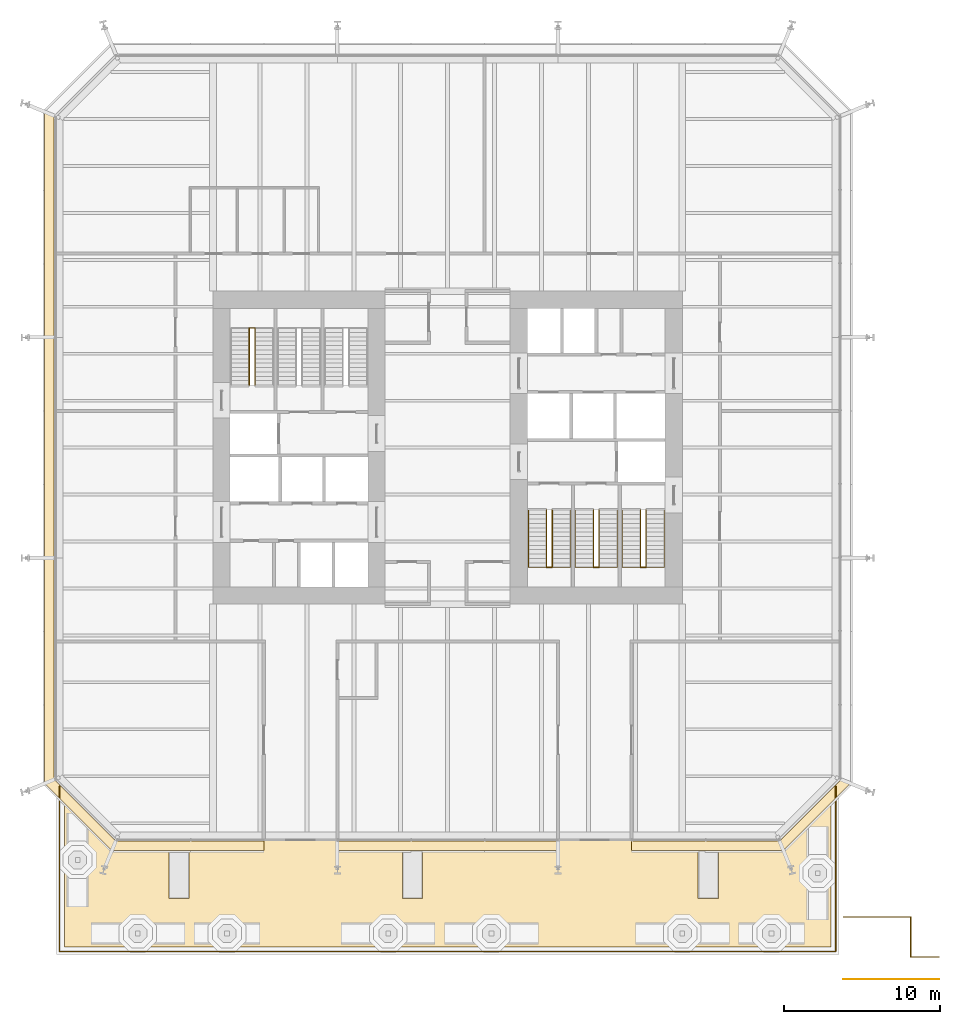
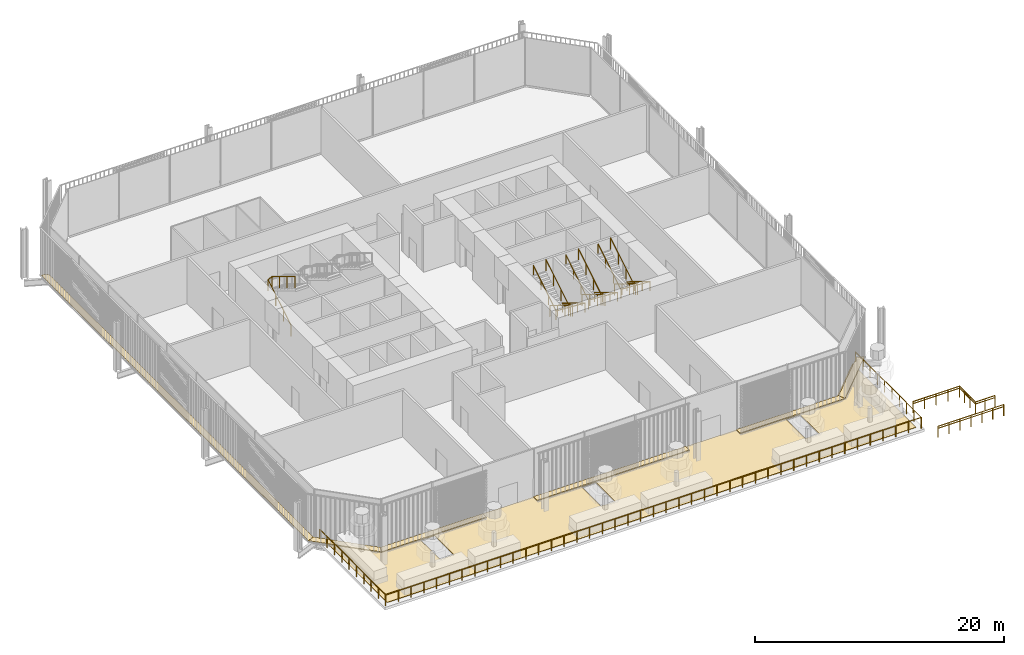
# One storey, part 19 of 21: 12 railings, 7 coverings.
"""IFC4 building model written with IfcOpenShell, lengths in metres."""

from ifc_helpers import new_model, si_unit, direction, frame, origin, origin_2d, place, context, subcontext, project, spatial, polyline, circle, outline, extrude, material, layer, layer_set, type_object, element, save


model = new_model("IFC4")

# Units and contexts
model_context = context("Model", 3, precision=1e-05, world=origin(), true_north=direction((0.0, 1.0)))
body_context = subcontext(model_context, "Body", "Model", "MODEL_VIEW")
ifc_project = project(units=[si_unit("LENGTHUNIT", "METRE"), si_unit("AREAUNIT", "SQUARE_METRE"), si_unit("VOLUMEUNIT", "CUBIC_METRE"), si_unit("PLANEANGLEUNIT", "RADIAN"), si_unit("MASSUNIT", "GRAM", prefix="KILO")], contexts=[model_context])

# Site, building, storey
site_placement = place(None, origin())
site = spatial("IfcSite", under=ifc_project, at=site_placement, CompositionType="ELEMENT")
building_placement = place(site_placement, origin())
building = spatial("IfcBuilding", under=site, at=building_placement, Name="Millrace Tower", CompositionType="ELEMENT")
storey_placement = place(building_placement, frame((0.0, 0.0, 16.10009765625)))
storey = spatial("IfcBuildingStorey", under=building, at=storey_placement, Name="L04", CompositionType="ELEMENT", Elevation=16.10009765625)

# Coverings
ifc_material_1 = material(Name="Steel ASTM A36", Category="steel")
ifc_layer_1 = layer(ifc_material_1, 0.050048828125)
ifc_layer_set_1 = layer_set([ifc_layer_1], Name="Steel ASTM A36")
covering_type_1 = type_object("IfcCoveringType", Name="CAVITY CATWALK steel grating", PredefinedType="FLOORING", material=ifc_layer_set_1)
placement_1 = place(storey_placement, frame((0.0, 0.0, 0.099853515625)))
element("IfcCovering", 1, at=placement_1, inside=storey, type_object=covering_type_1, Name="Cavity catwalk grating A-F01 L04 1", PredefinedType="FLOORING", context=body_context, shape_type="SweptSolid", body=[
    extrude(outline(polyline([(-25.75, -21.460693359375), (-21.460693359375, -25.75), (-21.212158203125, -25.14990234375), (-25.14990234375, -21.212158203125), (-25.75, -21.460693359375)])), origin(), (0.0, 0.0, 1.0), 0.050048828125),
])
element("IfcCovering", 2, at=placement_1, inside=storey, type_object=covering_type_1, Name="Cavity catwalk grating A-F02 L04 1", PredefinedType="FLOORING", context=body_context, shape_type="SweptSolid", body=[
    extrude(outline(polyline([(-21.460693359375, -25.75), (-11.75, -25.75), (-11.75, -25.14990234375), (-21.212158203125, -25.14990234375), (-21.460693359375, -25.75)])), origin(), (0.0, 0.0, 1.0), 0.050048828125),
])
element("IfcCovering", 3, at=placement_1, inside=storey, type_object=covering_type_1, Name="Cavity catwalk grating A-F02 L04 2", PredefinedType="FLOORING", context=body_context, shape_type="SweptSolid", body=[
    extrude(outline(polyline([(-7.050048828125, -25.75), (7.050048828125, -25.75), (7.050048828125, -25.14990234375), (-7.050048828125, -25.14990234375), (-7.050048828125, -25.75)])), origin(), (0.0, 0.0, 1.0), 0.050048828125),
])
element("IfcCovering", 4, at=placement_1, inside=storey, type_object=covering_type_1, Name="Cavity catwalk grating A-F02 L04 3", PredefinedType="FLOORING", context=body_context, shape_type="SweptSolid", body=[
    extrude(outline(polyline([(11.75, -25.75), (21.460693359375, -25.75), (21.212158203125, -25.14990234375), (11.75, -25.14990234375), (11.75, -25.75)])), origin(), (0.0, 0.0, 1.0), 0.050048828125),
])
element("IfcCovering", 5, at=placement_1, inside=storey, type_object=covering_type_1, Name="Cavity catwalk grating A-F03 L04 1", PredefinedType="FLOORING", context=body_context, shape_type="SweptSolid", body=[
    extrude(outline(polyline([(21.460693359375, -25.75), (25.75, -21.460693359375), (25.14990234375, -21.212158203125), (21.212158203125, -25.14990234375), (21.460693359375, -25.75)])), origin(), (0.0, 0.0, 1.0), 0.050048828125),
])
element("IfcCovering", 6, at=placement_1, inside=storey, type_object=covering_type_1, Name="Cavity catwalk grating A-F08 L04 1", PredefinedType="FLOORING", context=body_context, shape_type="SweptSolid", body=[
    extrude(outline(polyline([(-25.75, 21.460693359375), (-25.75, -21.460693359375), (-25.14990234375, -21.212158203125), (-25.14990234375, 21.212158203125), (-25.75, 21.460693359375)])), origin(), (0.0, 0.0, 1.0), 0.050048828125),
])

# Railings
ifc_material_2 = material(Name="Stainless steel ASTM A240 type 316", Category="steel")
railing_type_1 = type_object("IfcRailingType", Name="Public stair guard 1100", PredefinedType="GUARDRAIL", material=ifc_material_2)
placement_2 = place(storey_placement, frame((25.300048828125, -34.0, 0.0)))
element("IfcRailing", 7, at=placement_2, inside=storey, type_object=railing_type_1, Name="Public stair guard GD-STAIR-LCS", PredefinedType="GUARDRAIL", context=body_context, shape_type="SweptSolid", body=[
    extrude(circle(Radius=0.02392578125, at=origin_2d()), frame((0.0, 0.0, 1.076171875), z_axis=(1.0, 0.0, 0.0), x_axis=(0.0, 1.0, 0.0)), (0.0, 0.0, 1.0), 6.099853515625),
    extrude(circle(Radius=0.02099609375, at=origin_2d()), origin(), (0.0, 0.0, 1.0), 1.052001953125),
    extrude(circle(Radius=0.02099609375, at=origin_2d()), frame((1.0166015625, 0.0, 0.0)), (0.0, 0.0, 1.0), 1.052001953125),
    extrude(circle(Radius=0.02099609375, at=origin_2d()), frame((2.033203125, 0.0, 0.0)), (0.0, 0.0, 1.0), 1.052001953125),
    extrude(circle(Radius=0.02099609375, at=origin_2d()), frame((3.0498046875, 0.0, 0.0)), (0.0, 0.0, 1.0), 1.052001953125),
    extrude(circle(Radius=0.02099609375, at=origin_2d()), frame((4.066650390625, 0.0, 0.0)), (0.0, 0.0, 1.0), 1.052001953125),
    extrude(circle(Radius=0.02099609375, at=origin_2d()), frame((5.083251953125, 0.0, 0.0)), (0.0, 0.0, 1.0), 1.052001953125),
    extrude(circle(Radius=0.02099609375, at=origin_2d()), frame((6.099853515625, 0.0, 0.0)), (0.0, 0.0, 1.0), 1.052001953125),
])
placement_3 = place(storey_placement, frame((31.39990234375, -32.56005859375, 0.0)))
element("IfcRailing", 8, at=placement_3, inside=storey, type_object=railing_type_1, Name="Public stair guard GD-STAIR-LCN", PredefinedType="GUARDRAIL", context=body_context, shape_type="SweptSolid", body=[
    extrude(circle(Radius=0.02392578125, at=origin_2d()), frame((0.0, 0.0, 1.076171875), z_axis=(-1.0, 0.0, 0.0), x_axis=(0.0, -1.0, 0.0)), (0.0, 0.0, 1.0), 1.7998046875),
    extrude(circle(Radius=0.02392578125, at=origin_2d()), frame((-1.7998046875, 0.0, 1.076171875), z_axis=(0.0, 1.0, 0.0), x_axis=(-1.0, 0.0, 0.0)), (0.0, 0.0, 1.0), 2.56005859375),
    extrude(circle(Radius=0.02392578125, at=origin_2d()), frame((-1.7998046875, 2.56005859375, 1.076171875), z_axis=(-1.0, 0.0, 0.0), x_axis=(0.0, -1.0, 0.0)), (0.0, 0.0, 1.0), 4.300048828125),
    extrude(circle(Radius=0.02099609375, at=origin_2d()), origin(), (0.0, 0.0, 1.0), 1.052001953125),
    extrude(circle(Radius=0.02099609375, at=origin_2d()), frame((-0.89990234375, 0.0, 0.0)), (0.0, 0.0, 1.0), 1.052001953125),
    extrude(circle(Radius=0.02099609375, at=origin_2d()), frame((-1.7998046875, 0.0, 0.0)), (0.0, 0.0, 1.0), 1.052001953125),
    extrude(circle(Radius=0.02099609375, at=origin_2d()), frame((-1.7998046875, 0.853271484375, 0.0)), (0.0, 0.0, 1.0), 1.052001953125),
    extrude(circle(Radius=0.02099609375, at=origin_2d()), frame((-1.7998046875, 1.706787109375, 0.0)), (0.0, 0.0, 1.0), 1.052001953125),
    extrude(circle(Radius=0.02099609375, at=origin_2d()), frame((-1.7998046875, 2.56005859375, 0.0)), (0.0, 0.0, 1.0), 1.052001953125),
    extrude(circle(Radius=0.02099609375, at=origin_2d()), frame((-2.874755859375, 2.56005859375, 0.0)), (0.0, 0.0, 1.0), 1.052001953125),
    extrude(circle(Radius=0.02099609375, at=origin_2d()), frame((-3.94970703125, 2.56005859375, 0.0)), (0.0, 0.0, 1.0), 1.052001953125),
    extrude(circle(Radius=0.02099609375, at=origin_2d()), frame((-5.02490234375, 2.56005859375, 0.0)), (0.0, 0.0, 1.0), 1.052001953125),
    extrude(circle(Radius=0.02099609375, at=origin_2d()), frame((-6.099853515625, 2.56005859375, 0.0)), (0.0, 0.0, 1.0), 1.052001953125),
])
ifc_material_3 = material(Name="Stainless steel ASTM A240 type 316", Category="steel")
railing_type_2 = type_object("IfcRailingType", Name="Public stair handrail 900", PredefinedType="HANDRAIL", material=ifc_material_3)
element("IfcRailing", 9, at=placement_2, inside=storey, type_object=railing_type_2, Name="Public stair handrail HR-STAIR-LCS", PredefinedType="HANDRAIL", context=body_context, shape_type="SweptSolid", body=[
    extrude(circle(Radius=0.02392578125, at=origin_2d()), frame((0.0, 0.0, 0.8759765625), z_axis=(1.0, 0.0, 0.0), x_axis=(0.0, 1.0, 0.0)), (0.0, 0.0, 1.0), 6.099853515625),
    extrude(circle(Radius=0.02099609375, at=origin_2d()), origin(), (0.0, 0.0, 1.0), 0.851806640625),
    extrude(circle(Radius=0.02099609375, at=origin_2d()), frame((1.0166015625, 0.0, 0.0)), (0.0, 0.0, 1.0), 0.851806640625),
    extrude(circle(Radius=0.02099609375, at=origin_2d()), frame((2.033203125, 0.0, 0.0)), (0.0, 0.0, 1.0), 0.851806640625),
    extrude(circle(Radius=0.02099609375, at=origin_2d()), frame((3.0498046875, 0.0, 0.0)), (0.0, 0.0, 1.0), 0.851806640625),
    extrude(circle(Radius=0.02099609375, at=origin_2d()), frame((4.066650390625, 0.0, 0.0)), (0.0, 0.0, 1.0), 0.851806640625),
    extrude(circle(Radius=0.02099609375, at=origin_2d()), frame((5.083251953125, 0.0, 0.0)), (0.0, 0.0, 1.0), 0.851806640625),
    extrude(circle(Radius=0.02099609375, at=origin_2d()), frame((6.099853515625, 0.0, 0.0)), (0.0, 0.0, 1.0), 0.851806640625),
])
element("IfcRailing", 10, at=placement_3, inside=storey, type_object=railing_type_2, Name="Public stair handrail HR-STAIR-LCN", PredefinedType="HANDRAIL", context=body_context, shape_type="SweptSolid", body=[
    extrude(circle(Radius=0.02392578125, at=origin_2d()), frame((0.0, 0.0, 0.8759765625), z_axis=(-1.0, 0.0, 0.0), x_axis=(0.0, -1.0, 0.0)), (0.0, 0.0, 1.0), 1.7998046875),
    extrude(circle(Radius=0.02392578125, at=origin_2d()), frame((-1.7998046875, 0.0, 0.8759765625), z_axis=(0.0, 1.0, 0.0), x_axis=(-1.0, 0.0, 0.0)), (0.0, 0.0, 1.0), 2.56005859375),
    extrude(circle(Radius=0.02392578125, at=origin_2d()), frame((-1.7998046875, 2.56005859375, 0.8759765625), z_axis=(-1.0, 0.0, 0.0), x_axis=(0.0, -1.0, 0.0)), (0.0, 0.0, 1.0), 4.300048828125),
    extrude(circle(Radius=0.02099609375, at=origin_2d()), origin(), (0.0, 0.0, 1.0), 0.851806640625),
    extrude(circle(Radius=0.02099609375, at=origin_2d()), frame((-0.89990234375, 0.0, 0.0)), (0.0, 0.0, 1.0), 0.851806640625),
    extrude(circle(Radius=0.02099609375, at=origin_2d()), frame((-1.7998046875, 0.0, 0.0)), (0.0, 0.0, 1.0), 0.851806640625),
    extrude(circle(Radius=0.02099609375, at=origin_2d()), frame((-1.7998046875, 0.853271484375, 0.0)), (0.0, 0.0, 1.0), 0.851806640625),
    extrude(circle(Radius=0.02099609375, at=origin_2d()), frame((-1.7998046875, 1.706787109375, 0.0)), (0.0, 0.0, 1.0), 0.851806640625),
    extrude(circle(Radius=0.02099609375, at=origin_2d()), frame((-1.7998046875, 2.56005859375, 0.0)), (0.0, 0.0, 1.0), 0.851806640625),
    extrude(circle(Radius=0.02099609375, at=origin_2d()), frame((-2.874755859375, 2.56005859375, 0.0)), (0.0, 0.0, 1.0), 0.851806640625),
    extrude(circle(Radius=0.02099609375, at=origin_2d()), frame((-3.94970703125, 2.56005859375, 0.0)), (0.0, 0.0, 1.0), 0.851806640625),
    extrude(circle(Radius=0.02099609375, at=origin_2d()), frame((-5.02490234375, 2.56005859375, 0.0)), (0.0, 0.0, 1.0), 0.851806640625),
    extrude(circle(Radius=0.02099609375, at=origin_2d()), frame((-6.099853515625, 2.56005859375, 0.0)), (0.0, 0.0, 1.0), 0.851806640625),
])

# Covering
ifc_material_4 = material(Name="Bituminous roofing membrane on rigid insulation")
ifc_layer_2 = layer(ifc_material_4, 0.0400390625)
ifc_layer_set_2 = layer_set([ifc_layer_2], Name="Bituminous roofing membrane on rigid insulation")
covering_type_2 = type_object("IfcCoveringType", Name="Roofing membrane and insulation 40 mm", PredefinedType="ROOFING", material=ifc_layer_set_2)
covering_7_placement = place(storey_placement, frame((0.0, 0.0, -0.0400390625)))
element("IfcCovering", 11, at=covering_7_placement, inside=storey, type_object=covering_type_2, Name="Roofing membrane and insulation CT-L03-1", PredefinedType="ROOFING", context=body_context, shape_type="SweptSolid", body=[
    extrude(outline(polyline([(-24.5, -31.89990234375), (24.5, -31.89990234375), (24.5, -21.64990234375), (21.14990234375, -25.0), (-21.14990234375, -25.0), (-24.5, -21.64990234375), (-24.5, -31.89990234375)]), holes=[polyline([(-17.816650390625, -28.824951171875), (-16.5166015625, -28.824951171875), (-16.5166015625, -25.72509765625), (-17.816650390625, -25.72509765625), (-17.816650390625, -28.824951171875)]), polyline([(-2.89990234375, -28.824951171875), (-1.60009765625, -28.824951171875), (-1.60009765625, -25.72509765625), (-2.89990234375, -25.72509765625), (-2.89990234375, -28.824951171875)]), polyline([(16.0166015625, -28.824951171875), (17.316650390625, -28.824951171875), (17.316650390625, -25.72509765625), (16.0166015625, -25.72509765625), (16.0166015625, -28.824951171875)])]), origin(), (0.0, 0.0, 1.0), 0.0400390625),
])

# Railings
ifc_material_5 = material(Name="Stainless steel ASTM A240 type 316", Category="steel")
railing_type_3 = type_object("IfcRailingType", Name="Stair guard 1100", PredefinedType="GUARDRAIL", material=ifc_material_5)
railing_5_placement = place(storey_placement, frame((-12.679931640625, 4.0, 0.17138671875)))
element("IfcRailing", 12, at=railing_5_placement, inside=storey, type_object=railing_type_3, Name="Stair guard 1 W L04", PredefinedType="GUARDRAIL", context=body_context, shape_type="SweptSolid", body=[
    extrude(circle(Radius=0.02392578125, at=origin_2d()), frame((0.0, 0.0, 1.076171875), z_axis=(0.0, 0.852850264322, 0.5221555579), x_axis=(-1.0, 0.0, 0.0)), (0.0, 0.0, 1.0), 4.267822265625),
    extrude(circle(Radius=0.02392578125, at=origin_2d()), frame((0.0, 3.639892578125, 3.3046875), z_axis=(0.902837873996, 0.0, 0.429981131306), x_axis=(0.0, 1.0, 0.0)), (0.0, 0.0, 1.0), 0.398681640625),
    extrude(circle(Radius=0.02392578125, at=origin_2d()), frame((0.35986328125, 3.639892578125, 3.47607421875), z_axis=(0.0, -0.852850264322, 0.5221555579), x_axis=(1.0, 0.0, 0.0)), (0.0, 0.0, 1.0), 4.267822265625),
    extrude(circle(Radius=0.02099609375, at=origin_2d()), origin(), (0.0, 0.0, 1.0), 1.052001953125),
    extrude(circle(Radius=0.02099609375, at=origin_2d()), frame((0.0, 1.21337890625, 0.742919921875)), (0.0, 0.0, 1.0), 1.052001953125),
    extrude(circle(Radius=0.02099609375, at=origin_2d()), frame((0.0, 2.426513671875, 1.485595703125)), (0.0, 0.0, 1.0), 1.052001953125),
    extrude(circle(Radius=0.02099609375, at=origin_2d()), frame((0.0, 3.639892578125, 2.228515625)), (0.0, 0.0, 1.0), 1.052001953125),
    extrude(circle(Radius=0.02099609375, at=origin_2d()), frame((0.35986328125, 3.639892578125, 2.39990234375)), (0.0, 0.0, 1.0), 1.052001953125),
    extrude(circle(Radius=0.02099609375, at=origin_2d()), frame((0.35986328125, 2.426513671875, 3.142822265625)), (0.0, 0.0, 1.0), 1.052001953125),
    extrude(circle(Radius=0.02099609375, at=origin_2d()), frame((0.35986328125, 1.21337890625, 3.885498046875)), (0.0, 0.0, 1.0), 1.052001953125),
    extrude(circle(Radius=0.02099609375, at=origin_2d()), frame((0.35986328125, 0.0, 4.62841796875)), (0.0, 0.0, 1.0), 1.052001953125),
])
for number, where, name in (
    (13, (12.679931640625, -4.0, 0.17138671875), "Stair guard 1 E L04"),
    (14, (9.679931640625, -4.0, 0.17138671875), "Stair guard 2 E L04"),
    (15, (6.679931640625, -4.0, 0.17138671875), "Stair guard 3 E L04"),
):
    element("IfcRailing", number, at=place(storey_placement, frame(where)), inside=storey, type_object=railing_type_3, Name=name, PredefinedType="GUARDRAIL", context=body_context, shape_type="SweptSolid", body=[
        extrude(circle(Radius=0.02392578125, at=origin_2d()), frame((0.0, 0.0, 1.076171875), z_axis=(0.0, -0.852850264322, 0.5221555579), x_axis=(1.0, 0.0, 0.0)), (0.0, 0.0, 1.0), 4.267822265625),
        extrude(circle(Radius=0.02392578125, at=origin_2d()), frame((0.0, -3.639892578125, 3.3046875), z_axis=(-0.902837873996, 0.0, 0.429981131306), x_axis=(0.0, -1.0, 0.0)), (0.0, 0.0, 1.0), 0.398681640625),
        extrude(circle(Radius=0.02392578125, at=origin_2d()), frame((-0.35986328125, -3.639892578125, 3.47607421875), z_axis=(0.0, 0.852850264322, 0.5221555579), x_axis=(-1.0, 0.0, 0.0)), (0.0, 0.0, 1.0), 4.267822265625),
        extrude(circle(Radius=0.02099609375, at=origin_2d()), origin(), (0.0, 0.0, 1.0), 1.052001953125),
        extrude(circle(Radius=0.02099609375, at=origin_2d()), frame((0.0, -1.21337890625, 0.742919921875)), (0.0, 0.0, 1.0), 1.052001953125),
        extrude(circle(Radius=0.02099609375, at=origin_2d()), frame((0.0, -2.426513671875, 1.485595703125)), (0.0, 0.0, 1.0), 1.052001953125),
        extrude(circle(Radius=0.02099609375, at=origin_2d()), frame((0.0, -3.639892578125, 2.228515625)), (0.0, 0.0, 1.0), 1.052001953125),
        extrude(circle(Radius=0.02099609375, at=origin_2d()), frame((-0.35986328125, -3.639892578125, 2.39990234375)), (0.0, 0.0, 1.0), 1.052001953125),
        extrude(circle(Radius=0.02099609375, at=origin_2d()), frame((-0.35986328125, -2.426513671875, 3.142822265625)), (0.0, 0.0, 1.0), 1.052001953125),
        extrude(circle(Radius=0.02099609375, at=origin_2d()), frame((-0.35986328125, -1.21337890625, 3.885498046875)), (0.0, 0.0, 1.0), 1.052001953125),
        extrude(circle(Radius=0.02099609375, at=origin_2d()), frame((-0.35986328125, 0.0, 4.62841796875)), (0.0, 0.0, 1.0), 1.052001953125),
    ])
ifc_material_6 = material(Name="Stainless steel ASTM A240 type 316", Category="steel")
railing_type_4 = type_object("IfcRailingType", Name="Stair handrail 900", PredefinedType="HANDRAIL", material=ifc_material_6)
railing_6_placement = place(storey_placement, frame((13.840087890625, -4.0, 0.17138671875)))
element("IfcRailing", 16, at=railing_6_placement, inside=storey, type_object=railing_type_4, Name="Stair handrail 1 E L04", PredefinedType="HANDRAIL", context=body_context, shape_type="SweptSolid", body=[
    extrude(circle(Radius=0.02392578125, at=origin_2d()), frame((0.0, 0.0, 0.8759765625), z_axis=(0.0, -0.852850264322, 0.5221555579), x_axis=(1.0, 0.0, 0.0)), (0.0, 0.0, 1.0), 4.267822265625),
    extrude(circle(Radius=0.02392578125, at=origin_2d()), frame((0.0, -3.639892578125, 3.1044921875), z_axis=(-0.9979616988, 0.0, 0.063815732607), x_axis=(0.0, -1.0, 0.0)), (0.0, 0.0, 1.0), 2.685546875),
    extrude(circle(Radius=0.02392578125, at=origin_2d()), frame((-2.68017578125, -3.639892578125, 3.27587890625), z_axis=(0.0, 0.852850264322, 0.5221555579), x_axis=(-1.0, 0.0, 0.0)), (0.0, 0.0, 1.0), 4.267822265625),
    extrude(circle(Radius=0.02099609375, at=origin_2d()), origin(), (0.0, 0.0, 1.0), 0.851806640625),
    extrude(circle(Radius=0.02099609375, at=origin_2d()), frame((0.0, -1.21337890625, 0.742919921875)), (0.0, 0.0, 1.0), 0.851806640625),
    extrude(circle(Radius=0.02099609375, at=origin_2d()), frame((0.0, -2.426513671875, 1.485595703125)), (0.0, 0.0, 1.0), 0.851806640625),
    extrude(circle(Radius=0.02099609375, at=origin_2d()), frame((0.0, -3.639892578125, 2.228515625)), (0.0, 0.0, 1.0), 0.851806640625),
    extrude(circle(Radius=0.02099609375, at=origin_2d()), frame((-1.340087890625, -3.639892578125, 2.314208984375)), (0.0, 0.0, 1.0), 0.851806640625),
    extrude(circle(Radius=0.02099609375, at=origin_2d()), frame((-2.68017578125, -3.639892578125, 2.39990234375)), (0.0, 0.0, 1.0), 0.851806640625),
    extrude(circle(Radius=0.02099609375, at=origin_2d()), frame((-2.68017578125, -2.426513671875, 3.142822265625)), (0.0, 0.0, 1.0), 0.851806640625),
    extrude(circle(Radius=0.02099609375, at=origin_2d()), frame((-2.68017578125, -1.21337890625, 3.885498046875)), (0.0, 0.0, 1.0), 0.851806640625),
    extrude(circle(Radius=0.02099609375, at=origin_2d()), frame((-2.68017578125, 0.0, 4.62841796875)), (0.0, 0.0, 1.0), 0.851806640625),
])
railing_7_placement = place(storey_placement, frame((10.840087890625, -4.0, 0.17138671875)))
element("IfcRailing", 17, at=railing_7_placement, inside=storey, type_object=railing_type_4, Name="Stair handrail 2 E L04", PredefinedType="HANDRAIL", context=body_context, shape_type="SweptSolid", body=[
    extrude(circle(Radius=0.02392578125, at=origin_2d()), frame((0.0, 0.0, 0.8759765625), z_axis=(0.0, -0.852850264322, 0.5221555579), x_axis=(1.0, 0.0, 0.0)), (0.0, 0.0, 1.0), 4.267822265625),
    extrude(circle(Radius=0.02392578125, at=origin_2d()), frame((0.0, -3.639892578125, 3.1044921875), z_axis=(-0.9979616988, 0.0, 0.063815732607), x_axis=(0.0, -1.0, 0.0)), (0.0, 0.0, 1.0), 2.685546875),
    extrude(circle(Radius=0.02392578125, at=origin_2d()), frame((-2.68017578125, -3.639892578125, 3.27587890625), z_axis=(0.0, 0.852850264322, 0.5221555579), x_axis=(-1.0, 0.0, 0.0)), (0.0, 0.0, 1.0), 4.267822265625),
    extrude(circle(Radius=0.02099609375, at=origin_2d()), origin(), (0.0, 0.0, 1.0), 0.851806640625),
    extrude(circle(Radius=0.02099609375, at=origin_2d()), frame((0.0, -1.21337890625, 0.742919921875)), (0.0, 0.0, 1.0), 0.851806640625),
    extrude(circle(Radius=0.02099609375, at=origin_2d()), frame((0.0, -2.426513671875, 1.485595703125)), (0.0, 0.0, 1.0), 0.851806640625),
    extrude(circle(Radius=0.02099609375, at=origin_2d()), frame((0.0, -3.639892578125, 2.228515625)), (0.0, 0.0, 1.0), 0.851806640625),
    extrude(circle(Radius=0.02099609375, at=origin_2d()), frame((-1.340087890625, -3.639892578125, 2.314208984375)), (0.0, 0.0, 1.0), 0.851806640625),
    extrude(circle(Radius=0.02099609375, at=origin_2d()), frame((-2.68017578125, -3.639892578125, 2.39990234375)), (0.0, 0.0, 1.0), 0.851806640625),
    extrude(circle(Radius=0.02099609375, at=origin_2d()), frame((-2.68017578125, -2.426513671875, 3.142822265625)), (0.0, 0.0, 1.0), 0.851806640625),
    extrude(circle(Radius=0.02099609375, at=origin_2d()), frame((-2.68017578125, -1.21337890625, 3.885498046875)), (0.0, 0.0, 1.0), 0.851806640625),
    extrude(circle(Radius=0.02099609375, at=origin_2d()), frame((-2.68017578125, 0.0, 4.62841796875)), (0.0, 0.0, 1.0), 0.851806640625),
])
railing_8_placement = place(storey_placement, frame((7.840087890625, -4.0, 0.17138671875)))
element("IfcRailing", 18, at=railing_8_placement, inside=storey, type_object=railing_type_4, Name="Stair handrail 3 E L04", PredefinedType="HANDRAIL", context=body_context, shape_type="SweptSolid", body=[
    extrude(circle(Radius=0.02392578125, at=origin_2d()), frame((0.0, 0.0, 0.8759765625), z_axis=(0.0, -0.852850264322, 0.5221555579), x_axis=(1.0, 0.0, 0.0)), (0.0, 0.0, 1.0), 4.267822265625),
    extrude(circle(Radius=0.02392578125, at=origin_2d()), frame((0.0, -3.639892578125, 3.1044921875), z_axis=(-0.9979616988, 0.0, 0.063815732607), x_axis=(0.0, -1.0, 0.0)), (0.0, 0.0, 1.0), 2.685546875),
    extrude(circle(Radius=0.02392578125, at=origin_2d()), frame((-2.68017578125, -3.639892578125, 3.27587890625), z_axis=(0.0, 0.852850264322, 0.5221555579), x_axis=(-1.0, 0.0, 0.0)), (0.0, 0.0, 1.0), 4.267822265625),
    extrude(circle(Radius=0.02099609375, at=origin_2d()), origin(), (0.0, 0.0, 1.0), 0.851806640625),
    extrude(circle(Radius=0.02099609375, at=origin_2d()), frame((0.0, -1.21337890625, 0.742919921875)), (0.0, 0.0, 1.0), 0.851806640625),
    extrude(circle(Radius=0.02099609375, at=origin_2d()), frame((0.0, -2.426513671875, 1.485595703125)), (0.0, 0.0, 1.0), 0.851806640625),
    extrude(circle(Radius=0.02099609375, at=origin_2d()), frame((0.0, -3.639892578125, 2.228515625)), (0.0, 0.0, 1.0), 0.851806640625),
    extrude(circle(Radius=0.02099609375, at=origin_2d()), frame((-1.340087890625, -3.639892578125, 2.314208984375)), (0.0, 0.0, 1.0), 0.851806640625),
    extrude(circle(Radius=0.02099609375, at=origin_2d()), frame((-2.68017578125, -3.639892578125, 2.39990234375)), (0.0, 0.0, 1.0), 0.851806640625),
    extrude(circle(Radius=0.02099609375, at=origin_2d()), frame((-2.68017578125, -2.426513671875, 3.142822265625)), (0.0, 0.0, 1.0), 0.851806640625),
    extrude(circle(Radius=0.02099609375, at=origin_2d()), frame((-2.68017578125, -1.21337890625, 3.885498046875)), (0.0, 0.0, 1.0), 0.851806640625),
    extrude(circle(Radius=0.02099609375, at=origin_2d()), frame((-2.68017578125, 0.0, 4.62841796875)), (0.0, 0.0, 1.0), 0.851806640625),
])
ifc_material_7 = material(Name="Stainless steel ASTM A240 type 316", Category="steel")
railing_type_5 = type_object("IfcRailingType", Name="Terrace guard 1100", PredefinedType="GUARDRAIL", material=ifc_material_7)
railing_9_placement = place(storey_placement, frame((-24.800048828125, -21.64990234375, -0.0400390625)))
element("IfcRailing", 19, at=railing_9_placement, inside=storey, type_object=railing_type_5, Name="Terrace guard CT-L03-1 1", PredefinedType="GUARDRAIL", context=body_context, shape_type="SweptSolid", body=[
    extrude(circle(Radius=0.02392578125, at=origin_2d()), frame((0.0, 0.0, 1.076171875), z_axis=(0.0, -1.0, 0.0), x_axis=(1.0, 0.0, 0.0)), (0.0, 0.0, 1.0), 10.550048828125),
    extrude(circle(Radius=0.02392578125, at=origin_2d()), frame((0.0, -10.550048828125, 1.076171875), z_axis=(1.0, 0.0, 0.0), x_axis=(0.0, 1.0, 0.0)), (0.0, 0.0, 1.0), 49.60009765625),
    extrude(circle(Radius=0.02392578125, at=origin_2d()), frame((49.60009765625, -10.550048828125, 1.076171875), z_axis=(0.0, 1.0, 0.0), x_axis=(-1.0, 0.0, 0.0)), (0.0, 0.0, 1.0), 10.550048828125),
    extrude(circle(Radius=0.02099609375, at=origin_2d()), origin(), (0.0, 0.0, 1.0), 1.052001953125),
    extrude(circle(Radius=0.02099609375, at=origin_2d()), frame((0.0, -1.172119140625, 0.0)), (0.0, 0.0, 1.0), 1.052001953125),
    extrude(circle(Radius=0.02099609375, at=origin_2d()), frame((0.0, -2.344482421875, 0.0)), (0.0, 0.0, 1.0), 1.052001953125),
    extrude(circle(Radius=0.02099609375, at=origin_2d()), frame((0.0, -3.5166015625, 0.0)), (0.0, 0.0, 1.0), 1.052001953125),
    extrude(circle(Radius=0.02099609375, at=origin_2d()), frame((0.0, -4.68896484375, 0.0)), (0.0, 0.0, 1.0), 1.052001953125),
    extrude(circle(Radius=0.02099609375, at=origin_2d()), frame((0.0, -5.861083984375, 0.0)), (0.0, 0.0, 1.0), 1.052001953125),
    extrude(circle(Radius=0.02099609375, at=origin_2d()), frame((0.0, -7.033447265625, 0.0)), (0.0, 0.0, 1.0), 1.052001953125),
    extrude(circle(Radius=0.02099609375, at=origin_2d()), frame((0.0, -8.20556640625, 0.0)), (0.0, 0.0, 1.0), 1.052001953125),
    extrude(circle(Radius=0.02099609375, at=origin_2d()), frame((0.0, -9.3779296875, 0.0)), (0.0, 0.0, 1.0), 1.052001953125),
    extrude(circle(Radius=0.02099609375, at=origin_2d()), frame((0.0, -10.550048828125, 0.0)), (0.0, 0.0, 1.0), 1.052001953125),
    extrude(circle(Radius=0.02099609375, at=origin_2d()), frame((1.180908203125, -10.550048828125, 0.0)), (0.0, 0.0, 1.0), 1.052001953125),
    extrude(circle(Radius=0.02099609375, at=origin_2d()), frame((2.36181640625, -10.550048828125, 0.0)), (0.0, 0.0, 1.0), 1.052001953125),
    extrude(circle(Radius=0.02099609375, at=origin_2d()), frame((3.54296875, -10.550048828125, 0.0)), (0.0, 0.0, 1.0), 1.052001953125),
    extrude(circle(Radius=0.02099609375, at=origin_2d()), frame((4.723876953125, -10.550048828125, 0.0)), (0.0, 0.0, 1.0), 1.052001953125),
    extrude(circle(Radius=0.02099609375, at=origin_2d()), frame((5.90478515625, -10.550048828125, 0.0)), (0.0, 0.0, 1.0), 1.052001953125),
    extrude(circle(Radius=0.02099609375, at=origin_2d()), frame((7.085693359375, -10.550048828125, 0.0)), (0.0, 0.0, 1.0), 1.052001953125),
    extrude(circle(Radius=0.02099609375, at=origin_2d()), frame((8.2666015625, -10.550048828125, 0.0)), (0.0, 0.0, 1.0), 1.052001953125),
    extrude(circle(Radius=0.02099609375, at=origin_2d()), frame((9.44775390625, -10.550048828125, 0.0)), (0.0, 0.0, 1.0), 1.052001953125),
    extrude(circle(Radius=0.02099609375, at=origin_2d()), frame((10.628662109375, -10.550048828125, 0.0)), (0.0, 0.0, 1.0), 1.052001953125),
    extrude(circle(Radius=0.02099609375, at=origin_2d()), frame((11.8095703125, -10.550048828125, 0.0)), (0.0, 0.0, 1.0), 1.052001953125),
    extrude(circle(Radius=0.02099609375, at=origin_2d()), frame((12.990478515625, -10.550048828125, 0.0)), (0.0, 0.0, 1.0), 1.052001953125),
    extrude(circle(Radius=0.02099609375, at=origin_2d()), frame((14.17138671875, -10.550048828125, 0.0)), (0.0, 0.0, 1.0), 1.052001953125),
    extrude(circle(Radius=0.02099609375, at=origin_2d()), frame((15.352294921875, -10.550048828125, 0.0)), (0.0, 0.0, 1.0), 1.052001953125),
    extrude(circle(Radius=0.02099609375, at=origin_2d()), frame((16.533447265625, -10.550048828125, 0.0)), (0.0, 0.0, 1.0), 1.052001953125),
    extrude(circle(Radius=0.02099609375, at=origin_2d()), frame((17.71435546875, -10.550048828125, 0.0)), (0.0, 0.0, 1.0), 1.052001953125),
    extrude(circle(Radius=0.02099609375, at=origin_2d()), frame((18.895263671875, -10.550048828125, 0.0)), (0.0, 0.0, 1.0), 1.052001953125),
    extrude(circle(Radius=0.02099609375, at=origin_2d()), frame((20.076171875, -10.550048828125, 0.0)), (0.0, 0.0, 1.0), 1.052001953125),
    extrude(circle(Radius=0.02099609375, at=origin_2d()), frame((21.257080078125, -10.550048828125, 0.0)), (0.0, 0.0, 1.0), 1.052001953125),
    extrude(circle(Radius=0.02099609375, at=origin_2d()), frame((22.438232421875, -10.550048828125, 0.0)), (0.0, 0.0, 1.0), 1.052001953125),
    extrude(circle(Radius=0.02099609375, at=origin_2d()), frame((23.619140625, -10.550048828125, 0.0)), (0.0, 0.0, 1.0), 1.052001953125),
    extrude(circle(Radius=0.02099609375, at=origin_2d()), frame((24.800048828125, -10.550048828125, 0.0)), (0.0, 0.0, 1.0), 1.052001953125),
    extrude(circle(Radius=0.02099609375, at=origin_2d()), frame((25.98095703125, -10.550048828125, 0.0)), (0.0, 0.0, 1.0), 1.052001953125),
    extrude(circle(Radius=0.02099609375, at=origin_2d()), frame((27.161865234375, -10.550048828125, 0.0)), (0.0, 0.0, 1.0), 1.052001953125),
    extrude(circle(Radius=0.02099609375, at=origin_2d()), frame((28.343017578125, -10.550048828125, 0.0)), (0.0, 0.0, 1.0), 1.052001953125),
    extrude(circle(Radius=0.02099609375, at=origin_2d()), frame((29.52392578125, -10.550048828125, 0.0)), (0.0, 0.0, 1.0), 1.052001953125),
    extrude(circle(Radius=0.02099609375, at=origin_2d()), frame((30.704833984375, -10.550048828125, 0.0)), (0.0, 0.0, 1.0), 1.052001953125),
    extrude(circle(Radius=0.02099609375, at=origin_2d()), frame((31.8857421875, -10.550048828125, 0.0)), (0.0, 0.0, 1.0), 1.052001953125),
    extrude(circle(Radius=0.02099609375, at=origin_2d()), frame((33.066650390625, -10.550048828125, 0.0)), (0.0, 0.0, 1.0), 1.052001953125),
    extrude(circle(Radius=0.02099609375, at=origin_2d()), frame((34.247802734375, -10.550048828125, 0.0)), (0.0, 0.0, 1.0), 1.052001953125),
    extrude(circle(Radius=0.02099609375, at=origin_2d()), frame((35.4287109375, -10.550048828125, 0.0)), (0.0, 0.0, 1.0), 1.052001953125),
    extrude(circle(Radius=0.02099609375, at=origin_2d()), frame((36.609619140625, -10.550048828125, 0.0)), (0.0, 0.0, 1.0), 1.052001953125),
    extrude(circle(Radius=0.02099609375, at=origin_2d()), frame((37.79052734375, -10.550048828125, 0.0)), (0.0, 0.0, 1.0), 1.052001953125),
    extrude(circle(Radius=0.02099609375, at=origin_2d()), frame((38.971435546875, -10.550048828125, 0.0)), (0.0, 0.0, 1.0), 1.052001953125),
    extrude(circle(Radius=0.02099609375, at=origin_2d()), frame((40.15234375, -10.550048828125, 0.0)), (0.0, 0.0, 1.0), 1.052001953125),
    extrude(circle(Radius=0.02099609375, at=origin_2d()), frame((41.33349609375, -10.550048828125, 0.0)), (0.0, 0.0, 1.0), 1.052001953125),
    extrude(circle(Radius=0.02099609375, at=origin_2d()), frame((42.514404296875, -10.550048828125, 0.0)), (0.0, 0.0, 1.0), 1.052001953125),
    extrude(circle(Radius=0.02099609375, at=origin_2d()), frame((43.6953125, -10.550048828125, 0.0)), (0.0, 0.0, 1.0), 1.052001953125),
    extrude(circle(Radius=0.02099609375, at=origin_2d()), frame((44.876220703125, -10.550048828125, 0.0)), (0.0, 0.0, 1.0), 1.052001953125),
    extrude(circle(Radius=0.02099609375, at=origin_2d()), frame((46.05712890625, -10.550048828125, 0.0)), (0.0, 0.0, 1.0), 1.052001953125),
    extrude(circle(Radius=0.02099609375, at=origin_2d()), frame((47.23828125, -10.550048828125, 0.0)), (0.0, 0.0, 1.0), 1.052001953125),
    extrude(circle(Radius=0.02099609375, at=origin_2d()), frame((48.419189453125, -10.550048828125, 0.0)), (0.0, 0.0, 1.0), 1.052001953125),
    extrude(circle(Radius=0.02099609375, at=origin_2d()), frame((49.60009765625, -10.550048828125, 0.0)), (0.0, 0.0, 1.0), 1.052001953125),
    extrude(circle(Radius=0.02099609375, at=origin_2d()), frame((49.60009765625, -9.3779296875, 0.0)), (0.0, 0.0, 1.0), 1.052001953125),
    extrude(circle(Radius=0.02099609375, at=origin_2d()), frame((49.60009765625, -8.20556640625, 0.0)), (0.0, 0.0, 1.0), 1.052001953125),
    extrude(circle(Radius=0.02099609375, at=origin_2d()), frame((49.60009765625, -7.033447265625, 0.0)), (0.0, 0.0, 1.0), 1.052001953125),
    extrude(circle(Radius=0.02099609375, at=origin_2d()), frame((49.60009765625, -5.861083984375, 0.0)), (0.0, 0.0, 1.0), 1.052001953125),
    extrude(circle(Radius=0.02099609375, at=origin_2d()), frame((49.60009765625, -4.68896484375, 0.0)), (0.0, 0.0, 1.0), 1.052001953125),
    extrude(circle(Radius=0.02099609375, at=origin_2d()), frame((49.60009765625, -3.5166015625, 0.0)), (0.0, 0.0, 1.0), 1.052001953125),
    extrude(circle(Radius=0.02099609375, at=origin_2d()), frame((49.60009765625, -2.344482421875, 0.0)), (0.0, 0.0, 1.0), 1.052001953125),
    extrude(circle(Radius=0.02099609375, at=origin_2d()), frame((49.60009765625, -1.172119140625, 0.0)), (0.0, 0.0, 1.0), 1.052001953125),
    extrude(circle(Radius=0.02099609375, at=origin_2d()), frame((49.60009765625, 0.0, 0.0)), (0.0, 0.0, 1.0), 1.052001953125),
])

save(model, "model.ifc")
